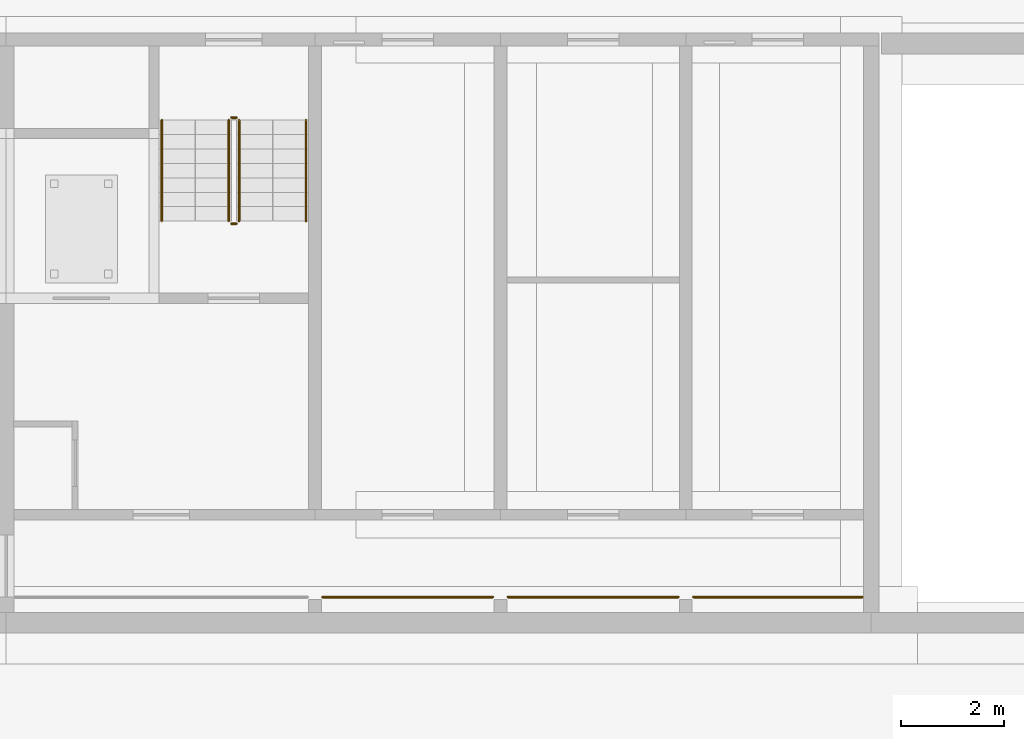
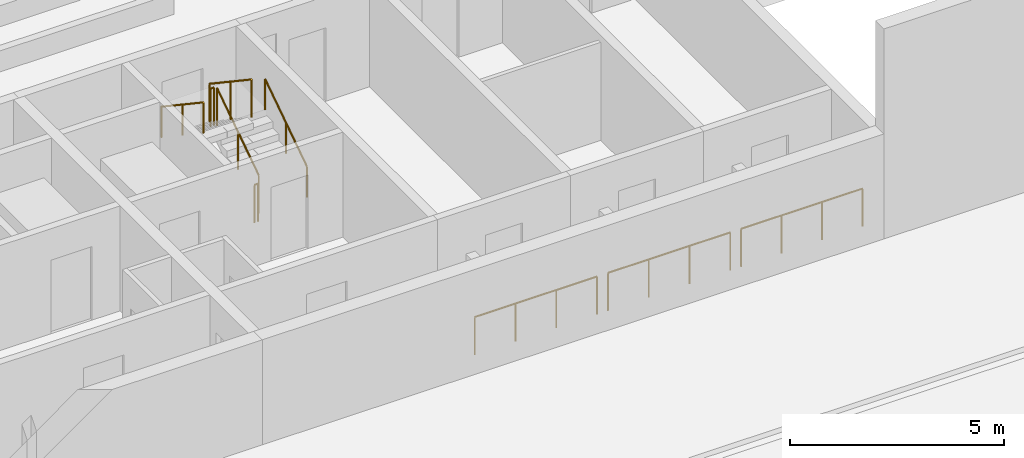
# One storey, part 91 of 112: 9 railings.
"""IFC4 building model written with IfcOpenShell, lengths in metres."""

from ifc_helpers import new_model, si_unit, direction, frame, origin, origin_2d, place, context, subcontext, project, spatial, circle, extrude, material, type_object, element, save


model = new_model("IFC4")

# Units and contexts
model_context = context("Model", 3, precision=1e-05, world=origin(), true_north=direction((0.0, 1.0)))
body_context = subcontext(model_context, "Body", "Model", "MODEL_VIEW")
ifc_project = project(units=[si_unit("LENGTHUNIT", "METRE"), si_unit("AREAUNIT", "SQUARE_METRE"), si_unit("VOLUMEUNIT", "CUBIC_METRE"), si_unit("PLANEANGLEUNIT", "RADIAN"), si_unit("MASSUNIT", "GRAM", prefix="KILO")], contexts=[model_context])

# Site, building, storey
site_placement = place(None, origin())
site = spatial("IfcSite", under=ifc_project, at=site_placement, CompositionType="ELEMENT")
building_placement = place(site_placement, origin())
building = spatial("IfcBuilding", under=site, at=building_placement, Name="Ridgestep Commons", CompositionType="ELEMENT")
storey_placement = place(building_placement, origin())
storey = spatial("IfcBuildingStorey", under=building, at=storey_placement, Name="L00", CompositionType="ELEMENT", Elevation=0.0)

# Railings
ifc_material_1 = material(Name="Structural steel S355JR galvanised", Category="steel")
railing_type_1 = type_object("IfcRailingType", Name="Passage guard 1100", PredefinedType="GUARDRAIL", material=ifc_material_1)
railing_1_placement = place(storey_placement, frame((102.14599609375, 12.050048828125, 0.0)))
element("IfcRailing", 1, at=railing_1_placement, inside=storey, type_object=railing_type_1, Name="Passage guard A 00.22", PredefinedType="GUARDRAIL", context=body_context, shape_type="SweptSolid", body=[
    extrude(circle(Radius=0.02392578125, at=origin_2d()), frame((0.0, 0.0, 1.076171875), z_axis=(1.0, 0.0, 0.0), x_axis=(0.0, 1.0, 0.0)), (0.0, 0.0, 1.0), 3.30810546875),
    extrude(circle(Radius=0.02099609375, at=origin_2d()), origin(), (0.0, 0.0, 1.0), 1.052001953125),
    extrude(circle(Radius=0.02099609375, at=origin_2d()), frame((1.102783203125, 0.0, 0.0)), (0.0, 0.0, 1.0), 1.052001953125),
    extrude(circle(Radius=0.02099609375, at=origin_2d()), frame((2.205322265625, 0.0, 0.0)), (0.0, 0.0, 1.0), 1.052001953125),
    extrude(circle(Radius=0.02099609375, at=origin_2d()), frame((3.30810546875, 0.0, 0.0)), (0.0, 0.0, 1.0), 1.052001953125),
])
railing_2_placement = place(storey_placement, frame((105.74609375, 12.050048828125, 0.0)))
element("IfcRailing", 2, at=railing_2_placement, inside=storey, type_object=railing_type_1, Name="Passage guard A 00.23", PredefinedType="GUARDRAIL", context=body_context, shape_type="SweptSolid", body=[
    extrude(circle(Radius=0.02392578125, at=origin_2d()), frame((0.0, 0.0, 1.076171875), z_axis=(1.0, 0.0, 0.0), x_axis=(0.0, 1.0, 0.0)), (0.0, 0.0, 1.0), 3.307861328125),
    extrude(circle(Radius=0.02099609375, at=origin_2d()), origin(), (0.0, 0.0, 1.0), 1.052001953125),
    extrude(circle(Radius=0.02099609375, at=origin_2d()), frame((1.1025390625, 0.0, 0.0)), (0.0, 0.0, 1.0), 1.052001953125),
    extrude(circle(Radius=0.02099609375, at=origin_2d()), frame((2.205322265625, 0.0, 0.0)), (0.0, 0.0, 1.0), 1.052001953125),
    extrude(circle(Radius=0.02099609375, at=origin_2d()), frame((3.307861328125, 0.0, 0.0)), (0.0, 0.0, 1.0), 1.052001953125),
])
railing_3_placement = place(storey_placement, frame((109.345947265625, 12.050048828125, 0.0)))
element("IfcRailing", 3, at=railing_3_placement, inside=storey, type_object=railing_type_1, Name="Passage guard A 00.24", PredefinedType="GUARDRAIL", context=body_context, shape_type="SweptSolid", body=[
    extrude(circle(Radius=0.02392578125, at=origin_2d()), frame((0.0, 0.0, 1.076171875), z_axis=(1.0, 0.0, 0.0), x_axis=(0.0, 1.0, 0.0)), (0.0, 0.0, 1.0), 3.282958984375),
    extrude(circle(Radius=0.02099609375, at=origin_2d()), origin(), (0.0, 0.0, 1.0), 1.052001953125),
    extrude(circle(Radius=0.02099609375, at=origin_2d()), frame((1.09423828125, 0.0, 0.0)), (0.0, 0.0, 1.0), 1.052001953125),
    extrude(circle(Radius=0.02099609375, at=origin_2d()), frame((2.188720703125, 0.0, 0.0)), (0.0, 0.0, 1.0), 1.052001953125),
    extrude(circle(Radius=0.02099609375, at=origin_2d()), frame((3.282958984375, 0.0, 0.0)), (0.0, 0.0, 1.0), 1.052001953125),
])
ifc_material_2 = material(Name="Structural steel S355JR", Category="steel")
railing_type_2 = type_object("IfcRailingType", Name="Stair guard 1100", PredefinedType="GUARDRAIL", material=ifc_material_2)
railing_4_placement = place(storey_placement, frame((100.52490234375, 19.35009765625, 0.1875)))
element("IfcRailing", 4, at=railing_4_placement, inside=storey, type_object=railing_type_2, Name="L00 A6C stair guard 1", PredefinedType="GUARDRAIL", context=body_context, shape_type="SweptSolid", body=[
    extrude(circle(Radius=0.02392578125, at=origin_2d()), frame((0.0, 0.0, 1.076171875), z_axis=(0.0, 0.830902050051, 0.556418712142), x_axis=(-1.0, 0.0, 0.0)), (0.0, 0.0, 1.0), 2.35888671875),
    extrude(circle(Radius=0.02099609375, at=origin_2d()), origin(), (0.0, 0.0, 1.0), 1.052001953125),
    extrude(circle(Radius=0.02099609375, at=origin_2d()), frame((0.0, 0.97998046875, 0.65625)), (0.0, 0.0, 1.0), 1.052001953125),
    extrude(circle(Radius=0.02099609375, at=origin_2d()), frame((0.0, 1.9599609375, 1.3125)), (0.0, 0.0, 1.0), 1.052001953125),
])
railing_5_placement = place(storey_placement, frame((100.47509765625, 21.360107421875, 1.5)))
element("IfcRailing", 5, at=railing_5_placement, inside=storey, type_object=railing_type_2, Name="L00 A6C stair guard 2", PredefinedType="GUARDRAIL", context=body_context, shape_type="SweptSolid", body=[
    extrude(circle(Radius=0.02392578125, at=origin_2d()), frame((0.0, 0.0, 1.076171875), z_axis=(-1.0, 0.0, 0.0), x_axis=(0.0, -1.0, 0.0)), (0.0, 0.0, 1.0), 0.10009765625),
    extrude(circle(Radius=0.02099609375, at=origin_2d()), origin(), (0.0, 0.0, 1.0), 1.052001953125),
    extrude(circle(Radius=0.02099609375, at=origin_2d()), frame((-0.10009765625, 0.0, 0.0)), (0.0, 0.0, 1.0), 1.052001953125),
])
railing_6_placement = place(storey_placement, frame((100.324951171875, 21.31005859375, 1.6875)))
element("IfcRailing", 6, at=railing_6_placement, inside=storey, type_object=railing_type_2, Name="L00 A6C stair guard 3", PredefinedType="GUARDRAIL", context=body_context, shape_type="SweptSolid", body=[
    extrude(circle(Radius=0.02392578125, at=origin_2d()), frame((0.0, 0.0, 1.076171875), z_axis=(0.0, -0.830902050051, 0.556418712142), x_axis=(1.0, 0.0, 0.0)), (0.0, 0.0, 1.0), 2.35888671875),
    extrude(circle(Radius=0.02099609375, at=origin_2d()), origin(), (0.0, 0.0, 1.0), 1.052001953125),
    extrude(circle(Radius=0.02099609375, at=origin_2d()), frame((0.0, -0.97998046875, 0.65625)), (0.0, 0.0, 1.0), 1.052001953125),
    extrude(circle(Radius=0.02099609375, at=origin_2d()), frame((0.0, -1.9599609375, 1.3125)), (0.0, 0.0, 1.0), 1.052001953125),
])
railing_7_placement = place(storey_placement, frame((100.47509765625, 19.300048828125, 0.0)))
element("IfcRailing", 7, at=railing_7_placement, inside=storey, type_object=railing_type_2, Name="L00 A6C stair guard 4", PredefinedType="GUARDRAIL", context=body_context, shape_type="SweptSolid", body=[
    extrude(circle(Radius=0.02392578125, at=origin_2d()), frame((0.0, 0.0, 1.076171875), z_axis=(-1.0, 0.0, 0.0), x_axis=(0.0, -1.0, 0.0)), (0.0, 0.0, 1.0), 0.10009765625),
    extrude(circle(Radius=0.02099609375, at=origin_2d()), origin(), (0.0, 0.0, 1.0), 1.052001953125),
    extrude(circle(Radius=0.02099609375, at=origin_2d()), frame((-0.10009765625, 0.0, 0.0)), (0.0, 0.0, 1.0), 1.052001953125),
])
ifc_material_3 = material(Name="Structural steel S355JR", Category="steel")
railing_type_3 = type_object("IfcRailingType", Name="Stair handrail 900", PredefinedType="HANDRAIL", material=ifc_material_3)
railing_8_placement = place(storey_placement, frame((101.824951171875, 19.35009765625, 0.1875)))
element("IfcRailing", 8, at=railing_8_placement, inside=storey, type_object=railing_type_3, Name="L00 A6C stair handrail 1", PredefinedType="HANDRAIL", context=body_context, shape_type="SweptSolid", body=[
    extrude(circle(Radius=0.02392578125, at=origin_2d()), frame((0.0, 0.0, 0.8759765625), z_axis=(0.0, 0.830902050051, 0.556418712142), x_axis=(-1.0, 0.0, 0.0)), (0.0, 0.0, 1.0), 2.35888671875),
    extrude(circle(Radius=0.02099609375, at=origin_2d()), origin(), (0.0, 0.0, 1.0), 0.851806640625),
    extrude(circle(Radius=0.02099609375, at=origin_2d()), frame((0.0, 0.97998046875, 0.65625)), (0.0, 0.0, 1.0), 0.851806640625),
    extrude(circle(Radius=0.02099609375, at=origin_2d()), frame((0.0, 1.9599609375, 1.3125)), (0.0, 0.0, 1.0), 0.851806640625),
])
railing_9_placement = place(storey_placement, frame((99.02490234375, 21.31005859375, 1.6875)))
element("IfcRailing", 9, at=railing_9_placement, inside=storey, type_object=railing_type_3, Name="L00 A6C stair handrail 2", PredefinedType="HANDRAIL", context=body_context, shape_type="SweptSolid", body=[
    extrude(circle(Radius=0.02392578125, at=origin_2d()), frame((0.0, 0.0, 0.8759765625), z_axis=(0.0, -0.830902050051, 0.556418712142), x_axis=(1.0, 0.0, 0.0)), (0.0, 0.0, 1.0), 2.35888671875),
    extrude(circle(Radius=0.02099609375, at=origin_2d()), origin(), (0.0, 0.0, 1.0), 0.851806640625),
    extrude(circle(Radius=0.02099609375, at=origin_2d()), frame((0.0, -0.97998046875, 0.65625)), (0.0, 0.0, 1.0), 0.851806640625),
    extrude(circle(Radius=0.02099609375, at=origin_2d()), frame((0.0, -1.9599609375, 1.3125)), (0.0, 0.0, 1.0), 0.851806640625),
])

save(model, "model.ifc")
